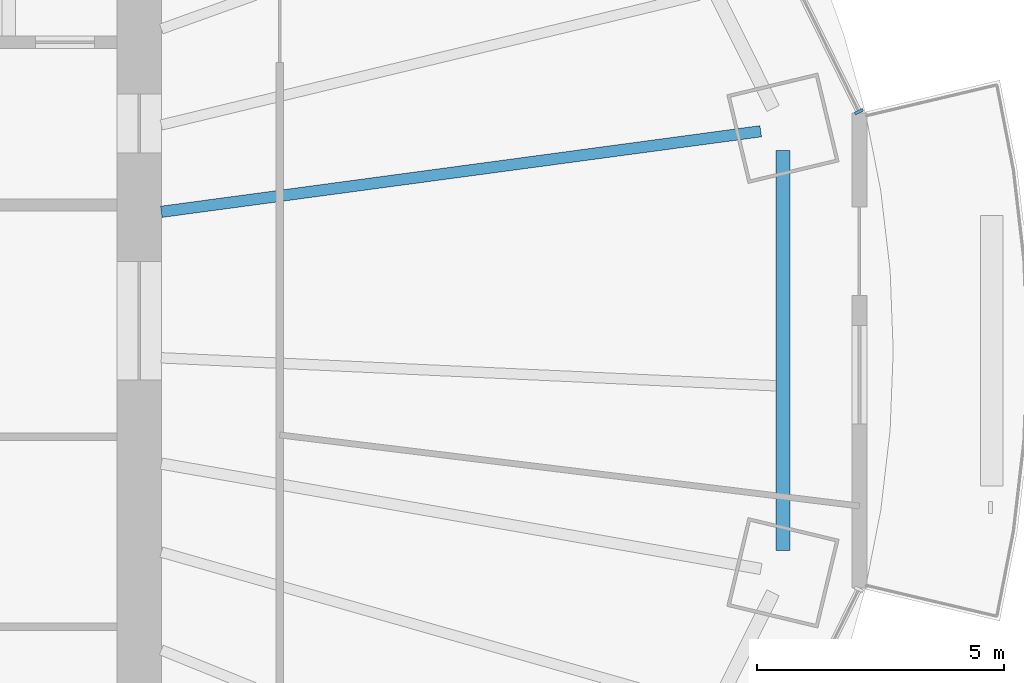
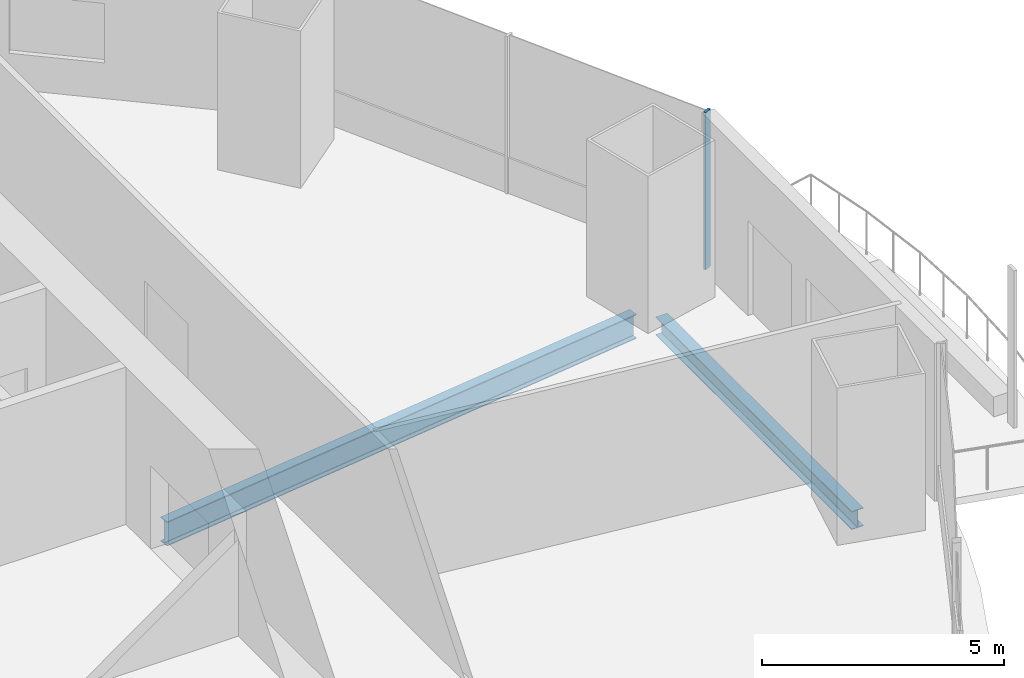
# One storey, part 5 of 18: 2 beams, 1 member, 1 element without a shape of its own.
"""IFC4 building model written with IfcOpenShell, lengths in metres."""

from ifc_helpers import new_model, si_unit, direction, frame, origin, origin_2d, place, context, subcontext, project, spatial, rectangle, i_section, extrude, material, material_profile, profile_set, type_object, element, aggregate, save


model = new_model("IFC4")

# Units and contexts
model_context = context("Model", 3, precision=1e-05, world=origin(), true_north=direction((0.0, 1.0)))
body_context = subcontext(model_context, "Body", "Model", "MODEL_VIEW")
ifc_project = project(units=[si_unit("LENGTHUNIT", "METRE"), si_unit("AREAUNIT", "SQUARE_METRE"), si_unit("VOLUMEUNIT", "CUBIC_METRE"), si_unit("PLANEANGLEUNIT", "RADIAN"), si_unit("MASSUNIT", "GRAM", prefix="KILO")], contexts=[model_context])

# Site, building, storey
site_placement = place(None, origin())
site = spatial("IfcSite", under=ifc_project, at=site_placement, CompositionType="ELEMENT")
building_placement = place(site_placement, origin())
building = spatial("IfcBuilding", under=site, at=building_placement, Name="Marenthal Gate Tower", CompositionType="ELEMENT")
storey_placement = place(building_placement, frame((0.0, 0.0, 264.800048828125)))
storey = spatial("IfcBuildingStorey", under=building, at=storey_placement, Name="L59", CompositionType="ELEMENT", Elevation=264.800048828125)

# Curtain wall, member
ifc_material_1 = material(Name="Aluminium and glass", Category="aluminium")
curtain_wall_type = type_object("IfcCurtainWallType", Name="Curtain wall typical mid", PredefinedType="NOTDEFINED", material=ifc_material_1)
curtain_wall_placement = place(storey_placement, origin())
curtain_wall = element("IfcCurtainWall", 1, at=curtain_wall_placement, inside=storey, type_object=curtain_wall_type, Name="Curtain wall L59 bay 1", PredefinedType="NOTDEFINED")
ifc_material_2 = material(Name="Aluminium", Category="aluminium")
ifc_material_profile_1 = material_profile(ifc_material_2, rectangle(XDim=0.179931640625, YDim=0.06005859375, at=origin_2d()), Name="60x180 aluminium mullion")
ifc_profile_set_1 = profile_set([ifc_material_profile_1], Name="Aluminium")
member_type = type_object("IfcMemberType", Name="Mullion 60x180 typical mid", PredefinedType="MULLION", material=ifc_profile_set_1)
member_placement = place(storey_placement, frame((30.58349609375, 4.239501953125, 0.0), z_axis=(0.0, 0.0, 1.0), x_axis=(-0.896920632002, -0.442191564697, 0.0)))
member = element("IfcMember", 2, at=member_placement, type_object=member_type, Name="Mullion L59 bay 1.1", PredefinedType="MULLION", context=body_context, shape_type="SweptSolid", body=[
    extrude(rectangle(XDim=0.179931640625, YDim=0.06005859375, at=origin_2d()), origin(), (0.0, 0.0, 1.0), 3.969970703125),
])
aggregate(curtain_wall, [member])

# Beams
ifc_material_3 = material(Name="Steel S355", Category="steel")
ifc_material_profile_2 = material_profile(ifc_material_3, i_section(OverallWidth=0.279052734375, OverallDepth=0.4619140625, WebThickness=0.0107421875, FlangeThickness=0.017333984375, FilletRadius=0.010009765625, at=origin_2d()), Name="W460X113")
ifc_profile_set_2 = profile_set([ifc_material_profile_2], Name="Steel S355")
beam_type_1 = type_object("IfcBeamType", Name="W460X113 beam", PredefinedType="BEAM", material=ifc_profile_set_2)
beam_1_placement = place(storey_placement, frame((29.047119140625, -4.653076171875, -0.4111328125), z_axis=(0.0, 1.0, 0.0), x_axis=(-1.0, 0.0, 0.0)))
element("IfcBeam", 3, at=beam_1_placement, inside=storey, type_object=beam_type_1, Name="BM-L59-56", PredefinedType="BEAM", context=body_context, shape_type="SweptSolid", body=[
    extrude(i_section(OverallWidth=0.279052734375, OverallDepth=0.4619140625, WebThickness=0.0107421875, FlangeThickness=0.017333984375, FilletRadius=0.010009765625, at=origin_2d()), origin(), (0.0, 0.0, 1.0), 8.106201171875),
])
ifc_material_4 = material(Name="Steel S355", Category="steel")
ifc_material_profile_3 = material_profile(ifc_material_4, i_section(OverallWidth=0.22900390625, OverallDepth=0.612060546875, WebThickness=0.011962890625, FlangeThickness=0.01953125, FilletRadius=0.0126953125, at=origin_2d()), Name="W610X125")
ifc_profile_set_3 = profile_set([ifc_material_profile_3], Name="Steel S355")
beam_type_2 = type_object("IfcBeamType", Name="W610X125 beam", PredefinedType="BEAM", material=ifc_profile_set_3)
beam_2_placement = place(storey_placement, frame((28.59619140625, 3.843505859375, -0.486083984375), z_axis=(-0.991087639187, -0.133211453905, 0.0), x_axis=(0.133211453905, -0.991087639187, 0.0)))
element("IfcBeam", 4, at=beam_2_placement, inside=storey, type_object=beam_type_2, Name="BM-L59-01", PredefinedType="BEAM", context=body_context, shape_type="SweptSolid", body=[
    extrude(i_section(OverallWidth=0.22900390625, OverallDepth=0.612060546875, WebThickness=0.011962890625, FlangeThickness=0.01953125, FilletRadius=0.0126953125, at=origin_2d()), origin(), (0.0, 0.0, 1.0), 12.25537109375),
])

save(model, "model.ifc")
